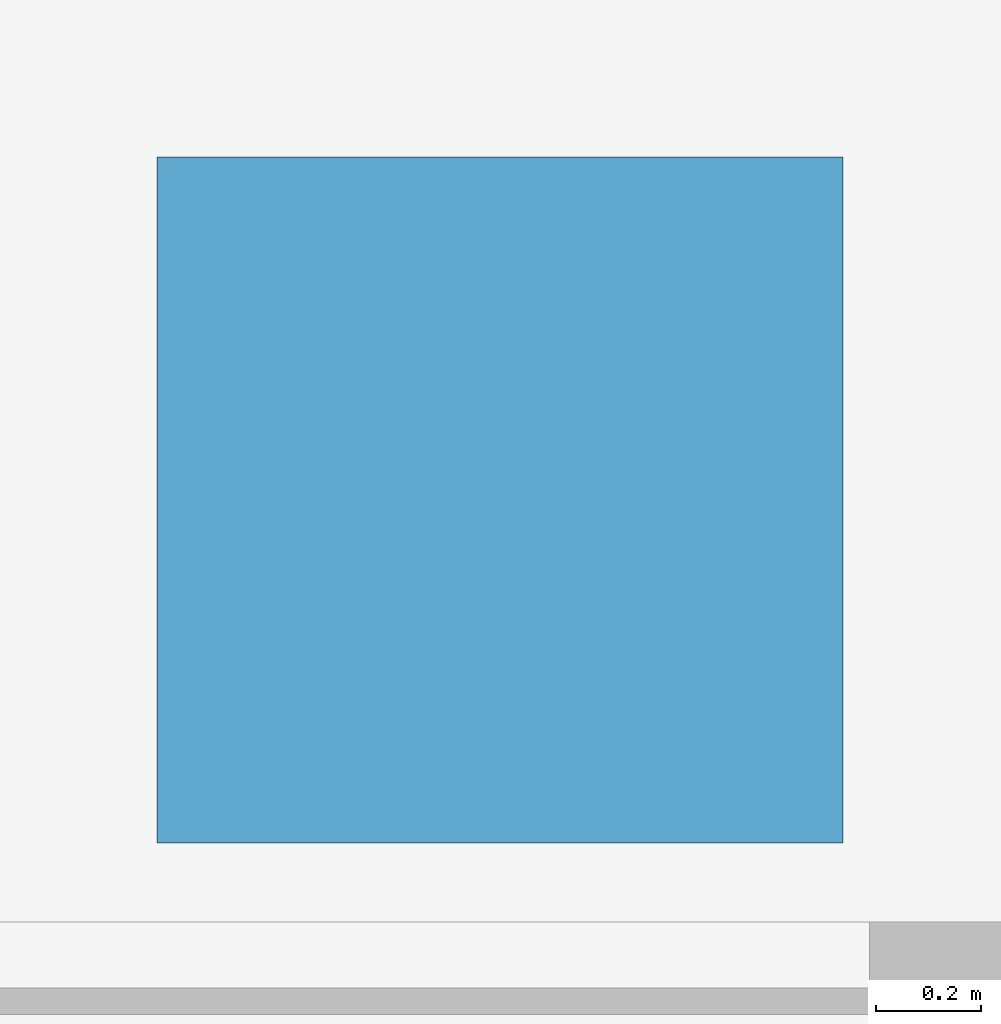
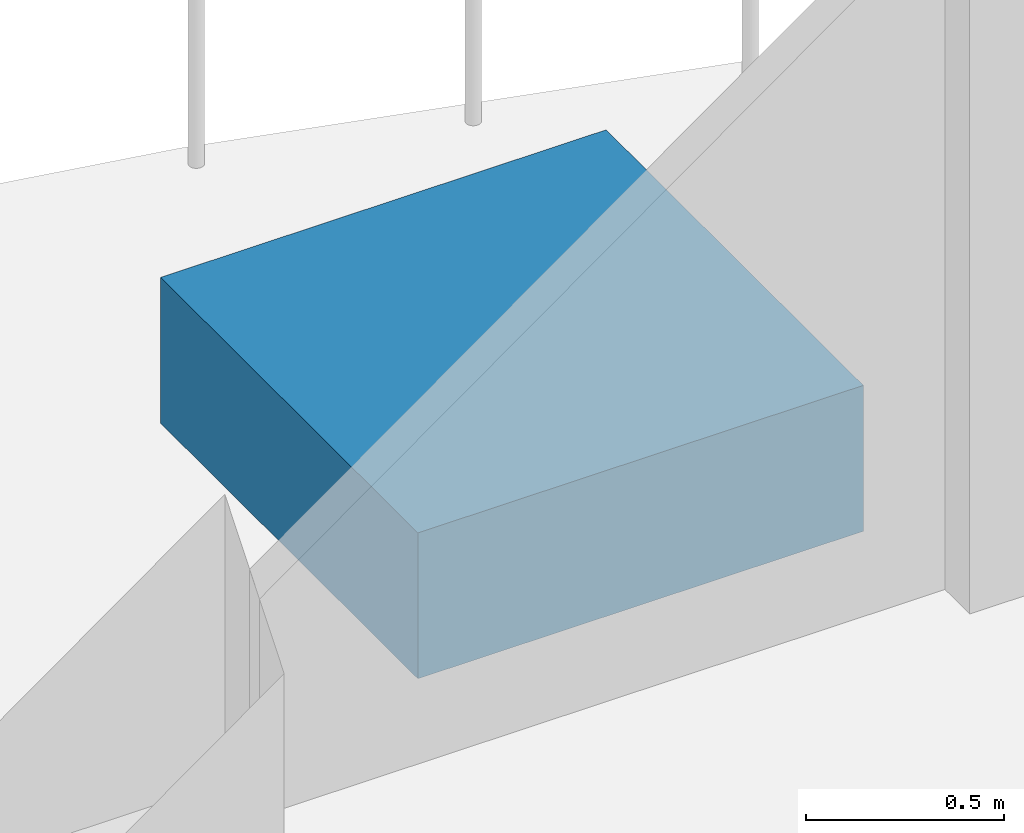
# One storey, part 12 of 17: 1 discrete accessory.
"""IFC4 building model written with IfcOpenShell, lengths in metres."""

from ifc_helpers import new_model, si_unit, direction, frame, origin, origin_2d, place, context, subcontext, project, spatial, rectangle, extrude, material, type_object, element, save


model = new_model("IFC4")

# Units and contexts
model_context = context("Model", 3, precision=1e-05, world=origin(), true_north=direction((0.0, 1.0)))
body_context = subcontext(model_context, "Body", "Model", "MODEL_VIEW")
ifc_project = project(units=[si_unit("LENGTHUNIT", "METRE"), si_unit("AREAUNIT", "SQUARE_METRE"), si_unit("VOLUMEUNIT", "CUBIC_METRE"), si_unit("PLANEANGLEUNIT", "RADIAN"), si_unit("MASSUNIT", "GRAM", prefix="KILO")], contexts=[model_context])

# Site, building, storey
site_placement = place(None, origin())
site = spatial("IfcSite", under=ifc_project, at=site_placement, CompositionType="ELEMENT")
building_placement = place(site_placement, origin())
building = spatial("IfcBuilding", under=site, at=building_placement, Name="Caelmar Bay Residences", CompositionType="ELEMENT")
storey_placement = place(building_placement, frame((0.0, 0.0, 246.300048828125)))
storey = spatial("IfcBuildingStorey", under=building, at=storey_placement, Name="L69", CompositionType="ELEMENT", Elevation=246.300048828125)

# Discrete accessory
ifc_material = material(Name="Precast concrete f'c 40 MPa (6,000 psi)", Category="concrete")
discrete_accessory_type = type_object("IfcDiscreteAccessoryType", Name="STR-PLANTER-KERB-450", PredefinedType="USERDEFINED", material=ifc_material)
discrete_accessory_placement = place(storey_placement, frame((62.89990234375, 51.39990234375, 0.0), z_axis=(0.0, 0.0, 1.0), x_axis=(1.0, 0.0, 0.0)))
element("IfcDiscreteAccessory", 1, at=discrete_accessory_placement, inside=storey, type_object=discrete_accessory_type, Name="L69 north_east Structural Tree Planter Kerb", ObjectType="PLANTER", PredefinedType="USERDEFINED", context=body_context, shape_type="SweptSolid", body=[
    extrude(rectangle(XDim=1.300048828125, YDim=1.300048828125, at=origin_2d()), origin(), (0.0, 0.0, 1.0), 0.449951171875),
])

save(model, "model.ifc")
